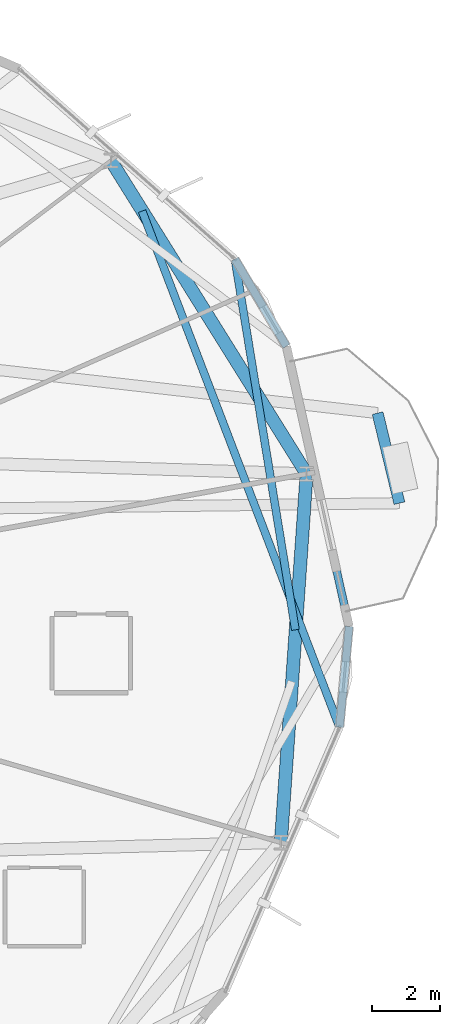
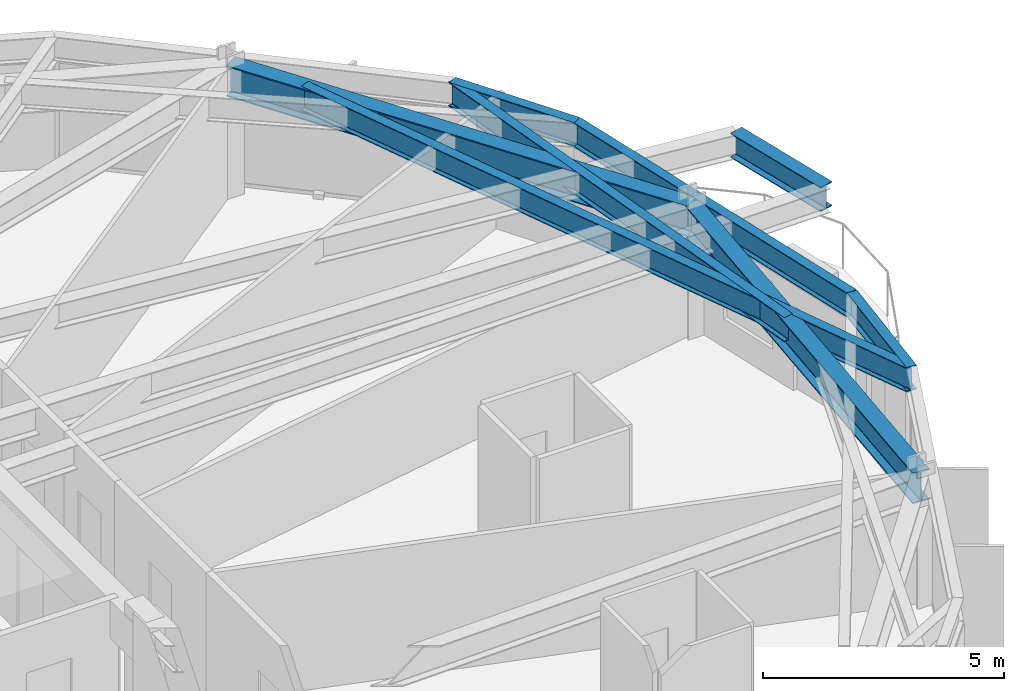
# One storey, part 9 of 21: 8 beams.
"""IFC4 building model written with IfcOpenShell, lengths in metres."""

from ifc_helpers import new_model, si_unit, direction, frame, origin, origin_2d, place, context, subcontext, project, spatial, i_section, extrude, material, material_profile, profile_set, type_object, element, save


model = new_model("IFC4")

# Units and contexts
model_context = context("Model", 3, precision=1e-05, world=origin(), true_north=direction((0.0, 1.0)))
body_context = subcontext(model_context, "Body", "Model", "MODEL_VIEW")
ifc_project = project(units=[si_unit("LENGTHUNIT", "METRE"), si_unit("AREAUNIT", "SQUARE_METRE"), si_unit("VOLUMEUNIT", "CUBIC_METRE"), si_unit("PLANEANGLEUNIT", "RADIAN"), si_unit("MASSUNIT", "GRAM", prefix="KILO")], contexts=[model_context])

# Site, building, storey
site_placement = place(None, origin())
site = spatial("IfcSite", under=ifc_project, at=site_placement, CompositionType="ELEMENT")
building_placement = place(site_placement, origin())
building = spatial("IfcBuilding", under=site, at=building_placement, Name="Soratama Intermodal Tower", CompositionType="ELEMENT")
storey_placement = place(building_placement, frame((0.0, 0.0, 146.199951171875)))
storey = spatial("IfcBuildingStorey", under=building, at=storey_placement, Name="L35", CompositionType="ELEMENT", Elevation=146.199951171875)

# Beams
ifc_material_1 = material(Name="Structural steel ASTM A992 Grade 50", Category="steel")
ifc_material_profile_1 = material_profile(ifc_material_1, i_section(OverallWidth=0.324951171875, OverallDepth=0.615966796875, WebThickness=0.013916015625, FlangeThickness=0.021484375, FilletRadius=0.013916015625, at=origin_2d()), Name="W24X117")
ifc_profile_set_1 = profile_set([ifc_material_profile_1], Name="Structural steel ASTM A992 Grade 50")
beam_type_1 = type_object("IfcBeamType", Name="BM-CANT-W24X117", PredefinedType="BEAM", material=ifc_profile_set_1)
beam_1_placement = place(storey_placement, frame((64.697021484375, 28.3759765625, 2.991943359375), z_axis=(-0.235396640454, 0.971899388652, 0.0), x_axis=(-0.971899388652, -0.235396640454, 0.0)))
element("IfcBeam", 1, at=beam_1_placement, inside=storey, type_object=beam_type_1, Name="BM-L35-CBHDR-1", PredefinedType="BEAM", context=body_context, shape_type="SweptSolid", body=[
    extrude(i_section(OverallWidth=0.324951171875, OverallDepth=0.615966796875, WebThickness=0.013916015625, FlangeThickness=0.021484375, FilletRadius=0.013916015625, at=origin_2d()), origin(), (0.0, 0.0, 1.0), 2.714111328125),
])
ifc_material_2 = material(Name="Structural steel ASTM A992 Grade 50", Category="steel")
ifc_material_profile_2 = material_profile(ifc_material_2, i_section(OverallWidth=0.382080078125, OverallDepth=0.779052734375, WebThickness=0.01806640625, FlangeThickness=0.030029296875, FilletRadius=0.01806640625, at=origin_2d()), Name="W30X191")
ifc_profile_set_2 = profile_set([ifc_material_profile_2], Name="Structural steel ASTM A992 Grade 50")
beam_type_2 = type_object("IfcBeamType", Name="BM-RING-W30X191", PredefinedType="BEAM", material=ifc_profile_set_2)
beam_2_placement = place(storey_placement, frame((61.97998046875, 29.23388671875, 2.91064453125), z_axis=(-0.529891394359, 0.84806551055, 0.0), x_axis=(-0.84806551055, -0.529891394359, 0.0)))
element("IfcBeam", 2, at=beam_2_placement, inside=storey, type_object=beam_type_2, Name="BM-L35-RING-01", PredefinedType="BEAM", context=body_context, shape_type="SweptSolid", body=[
    extrude(i_section(OverallWidth=0.382080078125, OverallDepth=0.779052734375, WebThickness=0.01806640625, FlangeThickness=0.030029296875, FilletRadius=0.01806640625, at=origin_2d()), origin(), (0.0, 0.0, 1.0), 10.8154296875),
])
beam_3_placement = place(storey_placement, frame((61.22607421875, 18.444091796875, 2.91064453125), z_axis=(0.069702217409, 0.99756784275, 0.0), x_axis=(-0.99756784275, 0.069702217409, 0.0)))
element("IfcBeam", 3, at=beam_3_placement, inside=storey, type_object=beam_type_2, Name="BM-L35-RING-10", PredefinedType="BEAM", context=body_context, shape_type="SweptSolid", body=[
    extrude(i_section(OverallWidth=0.382080078125, OverallDepth=0.779052734375, WebThickness=0.01806640625, FlangeThickness=0.030029296875, FilletRadius=0.01806640625, at=origin_2d()), origin(), (0.0, 0.0, 1.0), 10.816162109375),
])
ifc_material_3 = material(Name="Structural steel ASTM A992 Grade 50", Category="steel")
ifc_material_profile_3 = material_profile(ifc_material_3, i_section(OverallWidth=0.22900390625, OverallDepth=0.612060546875, WebThickness=0.011962890625, FlangeThickness=0.01953125, FilletRadius=0.012939453125, at=origin_2d()), Name="W24X84")
ifc_profile_set_3 = profile_set([ifc_material_profile_3], Name="Structural steel ASTM A992 Grade 50")
beam_type_3 = type_object("IfcBeamType", Name="BM-SPN-W24X84", PredefinedType="SPANDREL", material=ifc_profile_set_3)
beam_4_placement = place(storey_placement, frame((62.944091796875, 21.81396484375, 2.994140625), z_axis=(0.094401269855, 0.995534228568, 0.0), x_axis=(-0.995534228568, 0.094401269855, 0.0)))
element("IfcBeam", 4, at=beam_4_placement, inside=storey, type_object=beam_type_3, Name="BS-L35-CRN09", PredefinedType="SPANDREL", context=body_context, shape_type="SweptSolid", body=[
    extrude(i_section(OverallWidth=0.22900390625, OverallDepth=0.612060546875, WebThickness=0.011962890625, FlangeThickness=0.01953125, FilletRadius=0.012939453125, at=origin_2d()), origin(), (0.0, 0.0, 1.0), 2.96630859375),
])
beam_5_placement = place(storey_placement, frame((63.22412109375, 24.76708984375, 2.994140625), z_axis=(-0.218218864018, 0.975899855204, 0.0), x_axis=(-0.975899855204, -0.218218864018, 0.0)))
element("IfcBeam", 5, at=beam_5_placement, inside=storey, type_object=beam_type_3, Name="BS-L35-F10", PredefinedType="SPANDREL", context=body_context, shape_type="SweptSolid", body=[
    extrude(i_section(OverallWidth=0.22900390625, OverallDepth=0.612060546875, WebThickness=0.011962890625, FlangeThickness=0.01953125, FilletRadius=0.012939453125, at=origin_2d()), origin(), (0.0, 0.0, 1.0), 8.405517578125),
])
beam_6_placement = place(storey_placement, frame((61.389892578125, 32.969970703125, 2.994140625), z_axis=(-0.509086995036, 0.860715069861, 0.0), x_axis=(-0.860715069861, -0.509086995036, 0.0)))
element("IfcBeam", 6, at=beam_6_placement, inside=storey, type_object=beam_type_3, Name="BS-L35-CRN10", PredefinedType="SPANDREL", context=body_context, shape_type="SweptSolid", body=[
    extrude(i_section(OverallWidth=0.22900390625, OverallDepth=0.612060546875, WebThickness=0.011962890625, FlangeThickness=0.01953125, FilletRadius=0.012939453125, at=origin_2d()), origin(), (0.0, 0.0, 1.0), 2.966064453125),
])
ifc_material_4 = material(Name="Structural steel ASTM A992 Grade 50", Category="steel")
ifc_material_profile_4 = material_profile(ifc_material_4, i_section(OverallWidth=0.22900390625, OverallDepth=0.612060546875, WebThickness=0.011962890625, FlangeThickness=0.01953125, FilletRadius=0.012939453125, at=origin_2d()), Name="W24X84")
ifc_profile_set_4 = profile_set([ifc_material_profile_4], Name="Structural steel ASTM A992 Grade 50")
beam_type_4 = type_object("IfcBeamType", Name="BM-TIE-W24X84", PredefinedType="BEAM", material=ifc_profile_set_4)
beam_7_placement = place(storey_placement, frame((61.652099609375, 24.6669921875, 2.994140625), z_axis=(-0.161115574315, 0.986935545876, 0.0), x_axis=(-0.986935545876, -0.161115574315, 0.0)))
element("IfcBeam", 7, at=beam_7_placement, inside=storey, type_object=beam_type_4, Name="BM-L35-TIE0-01", PredefinedType="BEAM", context=body_context, shape_type="SweptSolid", body=[
    extrude(i_section(OverallWidth=0.22900390625, OverallDepth=0.612060546875, WebThickness=0.011962890625, FlangeThickness=0.01953125, FilletRadius=0.012939453125, at=origin_2d()), origin(), (0.0, 0.0, 1.0), 10.999755859375),
])
beam_8_placement = place(storey_placement, frame((57.1630859375, 36.927978515625, 2.994140625), z_axis=(0.35725167145, -0.93400816016, 0.0), x_axis=(0.93400816016, 0.35725167145, 0.0)))
element("IfcBeam", 8, at=beam_8_placement, inside=storey, type_object=beam_type_4, Name="BM-L35-TIE1-09", PredefinedType="BEAM", context=body_context, shape_type="SweptSolid", body=[
    extrude(i_section(OverallWidth=0.22900390625, OverallDepth=0.612060546875, WebThickness=0.011962890625, FlangeThickness=0.01953125, FilletRadius=0.012939453125, at=origin_2d()), origin(), (0.0, 0.0, 1.0), 16.181884765625),
])

save(model, "model.ifc")
